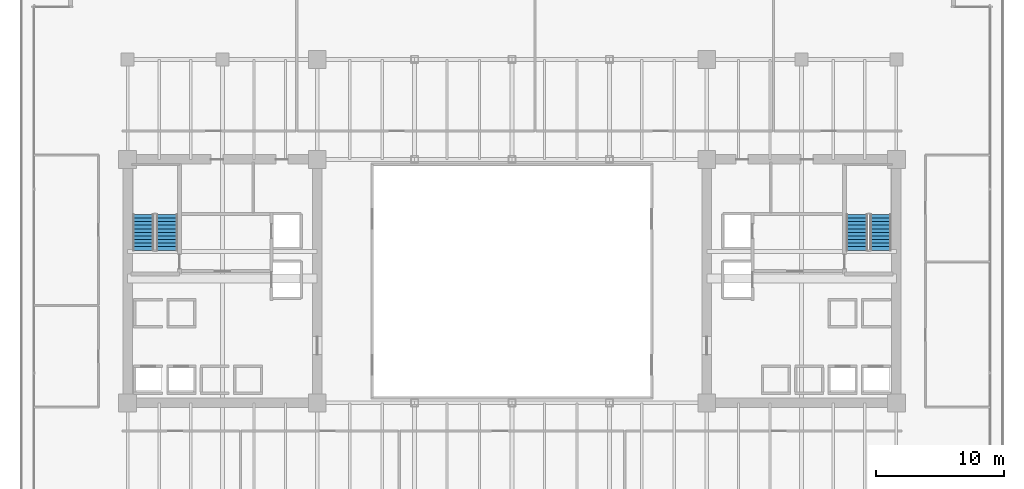
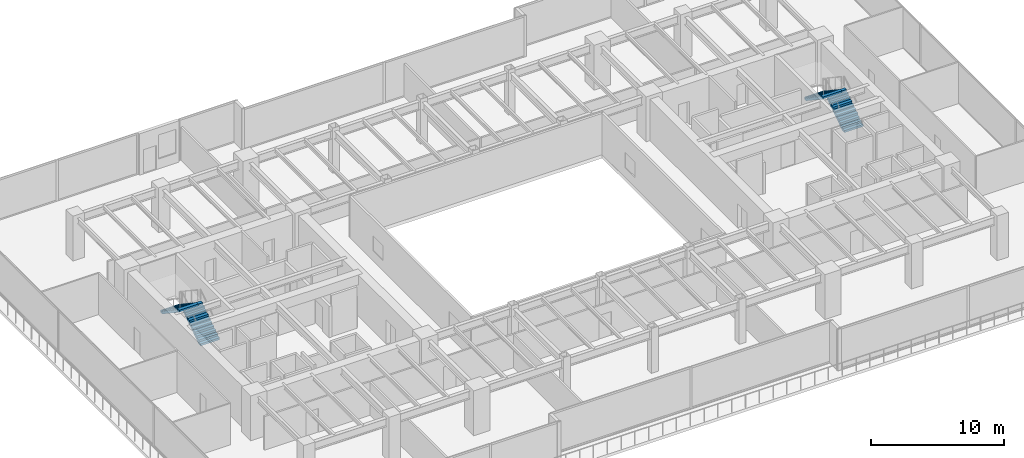
# One storey, part 33 of 36: 4 stair flights, 2 elements without a shape of their own.
"""IFC4 building model written with IfcOpenShell, lengths in metres."""

from ifc_helpers import new_model, si_unit, direction, frame, origin, place, context, subcontext, project, spatial, polyline, outline, extrude, source, transform, mapped, material, type_object, type_shapes, element, aggregate, save


model = new_model("IFC4")

# Units and contexts
model_context = context("Model", 3, precision=1e-05, world=origin(), true_north=direction((0.0, 1.0)))
body_context = subcontext(model_context, "Body", "Model", "MODEL_VIEW")
ifc_project = project(units=[si_unit("LENGTHUNIT", "METRE"), si_unit("AREAUNIT", "SQUARE_METRE"), si_unit("VOLUMEUNIT", "CUBIC_METRE"), si_unit("PLANEANGLEUNIT", "RADIAN"), si_unit("MASSUNIT", "GRAM", prefix="KILO")], contexts=[model_context])

# Site, building, storey
site_placement = place(None, origin())
site = spatial("IfcSite", under=ifc_project, at=site_placement, CompositionType="ELEMENT")
building_placement = place(site_placement, origin())
building = spatial("IfcBuilding", under=site, at=building_placement, Name="Haelvirn Gate Laboratories", CompositionType="ELEMENT")
storey_placement = place(building_placement, frame((0.0, 0.0, 25.199951171875)))
storey = spatial("IfcBuildingStorey", under=building, at=storey_placement, Name="L06", CompositionType="ELEMENT", Elevation=25.199951171875)

# Stair, stair flights
ifc_material = material(Name="Concrete C40/50", Category="concrete")
stair_type = type_object("IfcStairType", Name="ST-DOG-1650-R22", PredefinedType="HALF_TURN_STAIR", material=ifc_material)
stair_1_placement = place(storey_placement, origin())
stair_1 = element("IfcStair", 1, at=stair_1_placement, inside=storey, type_object=stair_type, Name="L06 Escape Stair ST1", PredefinedType="HALF_TURN_STAIR")
stair_flight_type = type_object("IfcStairFlightType", Name="STF-1650-R11", PredefinedType="STRAIGHT", material=ifc_material)
shared_shape = source(origin(), body_context, "Body", "SweptSolid", [
    extrude(outline(polyline([(0.0, 0.0), (0.0, 0.186279296875), (0.280029296875, 0.186279296875), (0.280029296875, 0.372802734375), (0.56005859375, 0.372802734375), (0.56005859375, 0.55908203125), (0.840087890625, 0.55908203125), (0.840087890625, 0.745361328125), (1.1201171875, 0.745361328125), (1.1201171875, 0.931884765625), (1.39990234375, 0.931884765625), (1.39990234375, 1.1181640625), (1.679931640625, 1.1181640625), (1.679931640625, 1.304443359375), (1.9599609375, 1.304443359375), (1.9599609375, 1.490966796875), (2.239990234375, 1.490966796875), (2.239990234375, 1.67724609375), (2.52001953125, 1.67724609375), (2.52001953125, 1.863525390625), (2.800048828125, 1.863525390625), (2.800048828125, 2.050048828125), (2.800048828125, 1.671630859375), (0.28857421875, 0.0), (0.0, 0.0)])), frame((0.0, 0.824951171875, 0.0), z_axis=(0.0, -1.0, 0.0), x_axis=(1.0, 0.0, 0.0)), (0.0, 0.0, 1.0), 1.64990234375),
])
type_shapes(stair_flight_type, [shared_shape])
stair_flight_1_placement = place(storey_placement, frame((10.47509765625, 26.699951171875, 0.0), z_axis=(0.0, 0.0, 1.0), x_axis=(0.0, 1.0, 0.0)))
stair_flight_1 = element("IfcStairFlight", 2, at=stair_flight_1_placement, type_object=stair_flight_type, Name="ST1 flight 1", NumberOfRisers=11, NumberOfTreads=10, PredefinedType="STRAIGHT", RiserHeight=0.186363636, TreadLength=0.28, context=body_context, shape_type="MappedRepresentation", body=[
    mapped(shared_shape, transform((0.0, 0.0, 0.0), scale=1.0)),
])
stair_flight_2_placement = place(storey_placement, frame((8.625, 29.5, 2.050048828125), z_axis=(0.0, 0.0, 1.0), x_axis=(0.0, -1.0, 0.0)))
stair_flight_2 = element("IfcStairFlight", 3, at=stair_flight_2_placement, type_object=stair_flight_type, Name="ST1 flight 2", NumberOfRisers=11, NumberOfTreads=10, PredefinedType="STRAIGHT", RiserHeight=0.186363636, TreadLength=0.28, context=body_context, shape_type="MappedRepresentation", body=[
    mapped(shared_shape, transform((0.0, 0.0, 0.0), scale=1.0)),
])
aggregate(stair_1, [stair_flight_1, stair_flight_2])

stair_2_placement = place(storey_placement, origin())
stair_2 = element("IfcStair", 4, at=stair_2_placement, inside=storey, type_object=stair_type, Name="L06 Escape Stair ST2", PredefinedType="HALF_TURN_STAIR")
stair_flight_3_placement = place(storey_placement, frame((66.175048828125, 26.699951171875, 0.0), z_axis=(0.0, 0.0, 1.0), x_axis=(0.0, 1.0, 0.0)))
stair_flight_3 = element("IfcStairFlight", 5, at=stair_flight_3_placement, type_object=stair_flight_type, Name="ST2 flight 1", NumberOfRisers=11, NumberOfTreads=10, PredefinedType="STRAIGHT", RiserHeight=0.186363636, TreadLength=0.28, context=body_context, shape_type="MappedRepresentation", body=[
    mapped(shared_shape, transform((0.0, 0.0, 0.0), scale=1.0)),
])
stair_flight_4_placement = place(storey_placement, frame((64.324951171875, 29.5, 2.050048828125), z_axis=(0.0, 0.0, 1.0), x_axis=(0.0, -1.0, 0.0)))
stair_flight_4 = element("IfcStairFlight", 6, at=stair_flight_4_placement, type_object=stair_flight_type, Name="ST2 flight 2", NumberOfRisers=11, NumberOfTreads=10, PredefinedType="STRAIGHT", RiserHeight=0.186363636, TreadLength=0.28, context=body_context, shape_type="MappedRepresentation", body=[
    mapped(shared_shape, transform((0.0, 0.0, 0.0), scale=1.0)),
])
aggregate(stair_2, [stair_flight_3, stair_flight_4])

save(model, "model.ifc")
